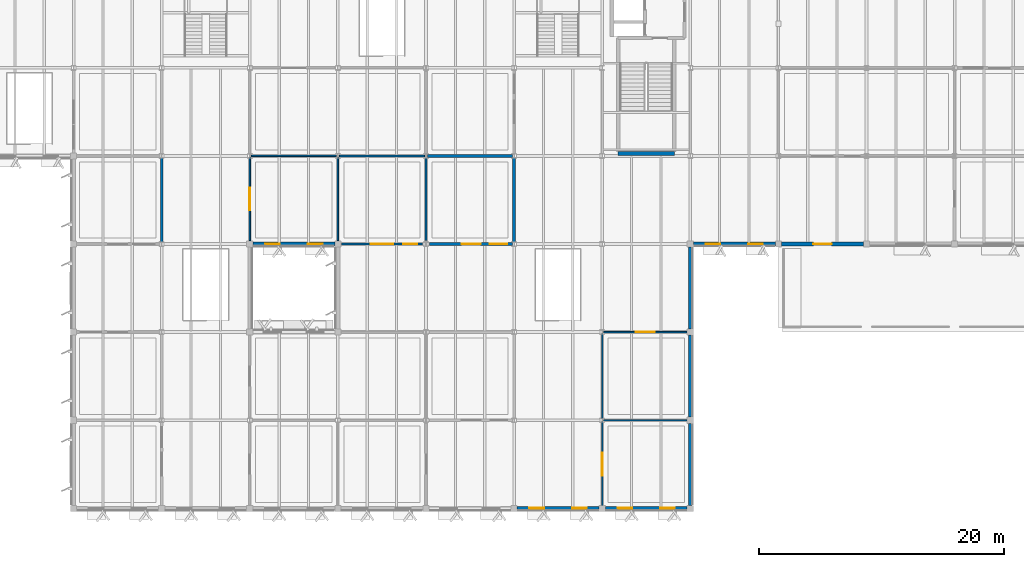
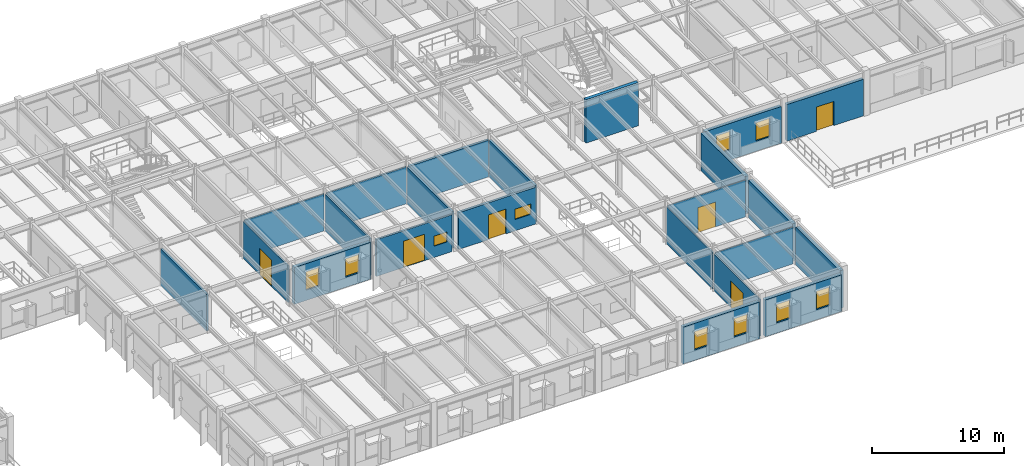
# One storey, part 36 of 85: 23 walls, 10 windows, 6 doors, 16 openings.
"""IFC4 building model written with IfcOpenShell, lengths in metres."""

from ifc_helpers import new_model, si_unit, direction, frame, frame_2d, origin, place, context, subcontext, project, spatial, rectangle, extrude, material, layer, layer_set, type_object, element, fill, save


model = new_model("IFC4")

# Units and contexts
model_context = context("Model", 3, precision=1e-05, world=origin(), true_north=direction((0.0, 1.0)))
body_context = subcontext(model_context, "Body", "Model", "MODEL_VIEW")
ifc_project = project(units=[si_unit("LENGTHUNIT", "METRE"), si_unit("AREAUNIT", "SQUARE_METRE"), si_unit("VOLUMEUNIT", "CUBIC_METRE"), si_unit("PLANEANGLEUNIT", "RADIAN"), si_unit("MASSUNIT", "GRAM", prefix="KILO")], contexts=[model_context])

# Site, building, storey
site_placement = place(None, origin())
site = spatial("IfcSite", under=ifc_project, at=site_placement, CompositionType="ELEMENT")
building_placement = place(site_placement, origin())
building = spatial("IfcBuilding", under=site, at=building_placement, Name="Sillqori Civic Hall", CompositionType="ELEMENT")
storey_placement = place(building_placement, frame((0.0, 0.0, 9.89990234375)))
storey = spatial("IfcBuildingStorey", under=building, at=storey_placement, Name="L03", CompositionType="ELEMENT", Elevation=9.89990234375)

# Wall
ifc_material_1 = material(Name="Concrete C35/45 (H35)", Category="concrete")
ifc_layer_1 = layer(ifc_material_1, 0.300048828125)
ifc_layer_set_1 = layer_set([ifc_layer_1], Name="Concrete C35/45 (H35)")
wall_type_1 = type_object("IfcWallType", Name="CW-SHR-300", PredefinedType="SHEAR", material=ifc_layer_set_1)
wall_1_placement = place(storey_placement, frame((109.31005859375, 36.199951171875, 0.0), z_axis=(0.0, 0.0, 1.0), x_axis=(1.0, 0.0, 0.0)))
element("IfcWall", 1, at=wall_1_placement, inside=storey, type_object=wall_type_1, Name="L03 C3 Stair south shear wall", PredefinedType="SHEAR", context=body_context, shape_type="SweptSolid", body=[
    extrude(rectangle(XDim=4.579833984375, YDim=0.300048828125, at=frame_2d((2.2900390625, 0.0))), origin(), (0.0, 0.0, 1.0), 4.02001953125),
])

# Wall, openings, windows
ifc_material_2 = material(Name="Precast concrete C40/50 (H40)", Category="concrete")
ifc_layer_2 = layer(ifc_material_2, 0.300048828125)
ifc_layer_set_2 = layer_set([ifc_layer_2], Name="Precast concrete C40/50 (H40)")
wall_type_2 = type_object("IfcWallType", Name="EW-LIME-300", PredefinedType="SOLIDWALL", material=ifc_layer_set_2)
wall_2_placement = place(storey_placement, frame((122.14990234375, 28.800048828125, 0.0), z_axis=(0.0, 0.0, 1.0), x_axis=(-1.0, 0.0, 0.0)))
wall_2 = element("IfcWall", 2, at=wall_2_placement, inside=storey, type_object=wall_type_2, Name="L03 V3 exterior wall L03-16-04-S", PredefinedType="SOLIDWALL", context=body_context, shape_type="SweptSolid", body=[
    extrude(rectangle(XDim=6.699951171875, YDim=0.300048828125, at=frame_2d((3.35009765625, 0.0))), origin(), (0.0, 0.0, 1.0), 3.398193359375),
])
opening_1_placement = place(wall_2_placement, frame((1.008056640625, 0.0, 0.949951171875)))
opening_1 = element("IfcOpeningElement", 3, at=opening_1_placement, cuts=wall_2, Name="Opening W-22", PredefinedType="OPENING", context=body_context, shape_type="SweptSolid", body=[
    extrude(rectangle(XDim=1.199951171875, YDim=1.699951171875, at=frame_2d((0.60009765625, 0.85009765625))), frame((0.0, 0.159912109375, 0.0), z_axis=(0.0, -1.0, 0.0), x_axis=(1.0, 0.0, 0.0)), (0.0, 0.0, 1.0), 0.320068359375),
])
opening_2_placement = place(wall_2_placement, frame((4.491943359375, 0.0, 0.949951171875)))
opening_2 = element("IfcOpeningElement", 4, at=opening_2_placement, cuts=wall_2, Name="Opening W-22", PredefinedType="OPENING", context=body_context, shape_type="SweptSolid", body=[
    extrude(rectangle(XDim=1.199951171875, YDim=1.699951171875, at=frame_2d((0.60009765625, 0.85009765625))), frame((0.0, 0.159912109375, 0.0), z_axis=(0.0, -1.0, 0.0), x_axis=(1.0, 0.0, 0.0)), (0.0, 0.0, 1.0), 0.320068359375),
])
ifc_material_3 = material(Name="Thermally Broken Aluminium Low-E Window", Category="aluminium")
window_type_1 = type_object("IfcWindowType", Name="WIN-V5-120X170", PartitioningType="SINGLE_PANEL", PredefinedType="WINDOW", material=ifc_material_3)
window_1_placement = place(opening_1_placement, origin())
window_1 = element("IfcWindow", 5, at=window_1_placement, inside=storey, type_object=window_type_1, Name="L03 V3 window L03-16-04-S.1", OverallHeight=1.699951171875, OverallWidth=1.199951171875, PartitioningType="SINGLE_PANEL", PredefinedType="WINDOW", context=body_context, shape_type="SweptSolid", body=[
    extrude(rectangle(XDim=1.199951171875, YDim=1.699951171875, at=frame_2d((0.60009765625, 0.85009765625))), frame((0.0, 0.030029296875, 0.0), z_axis=(0.0, -1.0, 0.0), x_axis=(1.0, 0.0, 0.0)), (0.0, 0.0, 1.0), 0.06005859375),
])
fill(opening_1, window_1)
window_2_placement = place(opening_2_placement, origin())
window_2 = element("IfcWindow", 6, at=window_2_placement, inside=storey, type_object=window_type_1, Name="L03 V3 window L03-16-04-S.2", OverallHeight=1.699951171875, OverallWidth=1.199951171875, PartitioningType="SINGLE_PANEL", PredefinedType="WINDOW", context=body_context, shape_type="SweptSolid", body=[
    extrude(rectangle(XDim=1.199951171875, YDim=1.699951171875, at=frame_2d((0.60009765625, 0.85009765625))), frame((0.0, 0.030029296875, 0.0), z_axis=(0.0, -1.0, 0.0), x_axis=(1.0, 0.0, 0.0)), (0.0, 0.0, 1.0), 0.06005859375),
])
fill(opening_2, window_2)

# Wall, opening, door
wall_3_placement = place(storey_placement, frame((129.35009765625, 28.800048828125, 0.0), z_axis=(0.0, 0.0, 1.0), x_axis=(-1.0, 0.0, 0.0)))
wall_3 = element("IfcWall", 7, at=wall_3_placement, inside=storey, type_object=wall_type_2, Name="L03 V3 exterior wall L03-17-04-S", PredefinedType="SOLIDWALL", context=body_context, shape_type="SweptSolid", body=[
    extrude(rectangle(XDim=6.7001953125, YDim=0.300048828125, at=frame_2d((3.35009765625, 0.0))), origin(), (0.0, 0.0, 1.0), 3.38818359375),
])
opening_3_placement = place(wall_3_placement, frame((2.60009765625, 0.0, 0.0)))
opening_3 = element("IfcOpeningElement", 8, at=opening_3_placement, cuts=wall_3, Name="Opening ED-06", PredefinedType="OPENING", context=body_context, shape_type="SweptSolid", body=[
    extrude(rectangle(XDim=1.5, YDim=2.25, at=frame_2d((0.75, 1.125))), frame((0.0, 0.159912109375, 0.0), z_axis=(0.0, -1.0, 0.0), x_axis=(1.0, 0.0, 0.0)), (0.0, 0.0, 1.0), 0.320068359375),
])
ifc_material_4 = material(Name="Thermally Broken Anodized Aluminium and Laminated Glass", Category="aluminium")
door_type_1 = type_object("IfcDoorType", Name="EDR-TERR-150X225", OperationType="NOTDEFINED", PredefinedType="DOOR", material=ifc_material_4)
door_1_placement = place(opening_3_placement, origin())
door_1 = element("IfcDoor", 9, at=door_1_placement, inside=storey, type_object=door_type_1, Name="Library Courtyard Step Terrace Access Door", OperationType="DOUBLE_DOOR_SINGLE_SWING", OverallHeight=2.25, OverallWidth=1.5, PredefinedType="DOOR", context=body_context, shape_type="SweptSolid", body=[
    extrude(rectangle(XDim=1.5, YDim=2.25, at=frame_2d((0.75, 1.125))), frame((0.0, 0.02490234375, 0.0), z_axis=(0.0, -1.0, 0.0), x_axis=(1.0, 0.0, 0.0)), (0.0, 0.0, 1.0), 0.050048828125),
])
fill(opening_3, door_1)

# Wall, openings, windows
ifc_layer_3 = layer(ifc_material_2, 0.320068359375)
ifc_layer_set_3 = layer_set([ifc_layer_3], Name="Precast concrete C40/50 (H40)")
wall_type_3 = type_object("IfcWallType", Name="EW-LIME-320", PredefinedType="SOLIDWALL", material=ifc_layer_set_3)
wall_4_placement = place(storey_placement, frame((86.14990234375, 28.800048828125, 0.0), z_axis=(0.0, 0.0, 1.0), x_axis=(-1.0, 0.0, 0.0)))
wall_4 = element("IfcWall", 10, at=wall_4_placement, inside=storey, type_object=wall_type_3, Name="L03 V2 exterior wall L03-11-04-S", PredefinedType="SOLIDWALL", context=body_context, shape_type="SweptSolid", body=[
    extrude(rectangle(XDim=6.699951171875, YDim=0.320068359375, at=frame_2d((3.35009765625, 0.0))), origin(), (0.0, 0.0, 1.0), 3.418212890625),
])
opening_4_placement = place(wall_4_placement, frame((1.008056640625, 0.0, 0.949951171875)))
opening_4 = element("IfcOpeningElement", 11, at=opening_4_placement, cuts=wall_4, Name="Opening W-22", PredefinedType="OPENING", context=body_context, shape_type="SweptSolid", body=[
    extrude(rectangle(XDim=1.199951171875, YDim=1.699951171875, at=frame_2d((0.60009765625, 0.85009765625))), frame((0.0, 0.169921875, 0.0), z_axis=(0.0, -1.0, 0.0), x_axis=(1.0, 0.0, 0.0)), (0.0, 0.0, 1.0), 0.340087890625),
])
opening_5_placement = place(wall_4_placement, frame((4.491943359375, 0.0, 0.949951171875)))
opening_5 = element("IfcOpeningElement", 12, at=opening_5_placement, cuts=wall_4, Name="Opening W-22", PredefinedType="OPENING", context=body_context, shape_type="SweptSolid", body=[
    extrude(rectangle(XDim=1.199951171875, YDim=1.699951171875, at=frame_2d((0.60009765625, 0.85009765625))), frame((0.0, 0.169921875, 0.0), z_axis=(0.0, -1.0, 0.0), x_axis=(1.0, 0.0, 0.0)), (0.0, 0.0, 1.0), 0.340087890625),
])
window_3_placement = place(opening_4_placement, origin())
window_3 = element("IfcWindow", 13, at=window_3_placement, inside=storey, type_object=window_type_1, Name="L03 V2 window L03-11-04-S.1", OverallHeight=1.699951171875, OverallWidth=1.199951171875, PartitioningType="SINGLE_PANEL", PredefinedType="WINDOW", context=body_context, shape_type="SweptSolid", body=[
    extrude(rectangle(XDim=1.199951171875, YDim=1.699951171875, at=frame_2d((0.60009765625, 0.85009765625))), frame((0.0, 0.030029296875, 0.0), z_axis=(0.0, -1.0, 0.0), x_axis=(1.0, 0.0, 0.0)), (0.0, 0.0, 1.0), 0.06005859375),
])
fill(opening_4, window_3)
window_4_placement = place(opening_5_placement, origin())
window_4 = element("IfcWindow", 14, at=window_4_placement, inside=storey, type_object=window_type_1, Name="L03 V2 window L03-11-04-S.2", OverallHeight=1.699951171875, OverallWidth=1.199951171875, PartitioningType="SINGLE_PANEL", PredefinedType="WINDOW", context=body_context, shape_type="SweptSolid", body=[
    extrude(rectangle(XDim=1.199951171875, YDim=1.699951171875, at=frame_2d((0.60009765625, 0.85009765625))), frame((0.0, 0.030029296875, 0.0), z_axis=(0.0, -1.0, 0.0), x_axis=(1.0, 0.0, 0.0)), (0.0, 0.0, 1.0), 0.06005859375),
])
fill(opening_5, window_4)

wall_5_placement = place(storey_placement, frame((107.75, 7.199951171875, 0.0), z_axis=(0.0, 0.0, 1.0), x_axis=(-1.0, 0.0, 0.0)))
wall_5 = element("IfcWall", 15, at=wall_5_placement, inside=storey, type_object=wall_type_3, Name="L03 V2 exterior wall L03-14-01-S", PredefinedType="SOLIDWALL", context=body_context, shape_type="SweptSolid", body=[
    extrude(rectangle(XDim=6.699951171875, YDim=0.320068359375, at=frame_2d((3.35009765625, 0.0))), origin(), (0.0, 0.0, 1.0), 3.418212890625),
])
opening_6_placement = place(wall_5_placement, frame((1.008056640625, 0.0, 0.949951171875)))
opening_6 = element("IfcOpeningElement", 16, at=opening_6_placement, cuts=wall_5, Name="Opening W-22", PredefinedType="OPENING", context=body_context, shape_type="SweptSolid", body=[
    extrude(rectangle(XDim=1.199951171875, YDim=1.699951171875, at=frame_2d((0.60009765625, 0.85009765625))), frame((0.0, 0.169921875, 0.0), z_axis=(0.0, -1.0, 0.0), x_axis=(1.0, 0.0, 0.0)), (0.0, 0.0, 1.0), 0.340087890625),
])
opening_7_placement = place(wall_5_placement, frame((4.491943359375, 0.0, 0.949951171875)))
opening_7 = element("IfcOpeningElement", 17, at=opening_7_placement, cuts=wall_5, Name="Opening W-22", PredefinedType="OPENING", context=body_context, shape_type="SweptSolid", body=[
    extrude(rectangle(XDim=1.199951171875, YDim=1.699951171875, at=frame_2d((0.60009765625, 0.85009765625))), frame((0.0, 0.169921875, 0.0), z_axis=(0.0, -1.0, 0.0), x_axis=(1.0, 0.0, 0.0)), (0.0, 0.0, 1.0), 0.340087890625),
])
window_5_placement = place(opening_6_placement, origin())
window_5 = element("IfcWindow", 18, at=window_5_placement, inside=storey, type_object=window_type_1, Name="L03 V2 window L03-14-01-S.1", OverallHeight=1.699951171875, OverallWidth=1.199951171875, PartitioningType="SINGLE_PANEL", PredefinedType="WINDOW", context=body_context, shape_type="SweptSolid", body=[
    extrude(rectangle(XDim=1.199951171875, YDim=1.699951171875, at=frame_2d((0.60009765625, 0.85009765625))), frame((0.0, 0.030029296875, 0.0), z_axis=(0.0, -1.0, 0.0), x_axis=(1.0, 0.0, 0.0)), (0.0, 0.0, 1.0), 0.06005859375),
])
fill(opening_6, window_5)
window_6_placement = place(opening_7_placement, origin())
window_6 = element("IfcWindow", 19, at=window_6_placement, inside=storey, type_object=window_type_1, Name="L03 V2 window L03-14-01-S.2", OverallHeight=1.699951171875, OverallWidth=1.199951171875, PartitioningType="SINGLE_PANEL", PredefinedType="WINDOW", context=body_context, shape_type="SweptSolid", body=[
    extrude(rectangle(XDim=1.199951171875, YDim=1.699951171875, at=frame_2d((0.60009765625, 0.85009765625))), frame((0.0, 0.030029296875, 0.0), z_axis=(0.0, -1.0, 0.0), x_axis=(1.0, 0.0, 0.0)), (0.0, 0.0, 1.0), 0.06005859375),
])
fill(opening_7, window_6)

wall_6_placement = place(storey_placement, frame((114.949951171875, 7.199951171875, 0.0), z_axis=(0.0, 0.0, 1.0), x_axis=(-1.0, 0.0, 0.0)))
wall_6 = element("IfcWall", 20, at=wall_6_placement, inside=storey, type_object=wall_type_3, Name="L03 V2 exterior wall L03-15-01-S", PredefinedType="SOLIDWALL", context=body_context, shape_type="SweptSolid", body=[
    extrude(rectangle(XDim=6.699951171875, YDim=0.320068359375, at=frame_2d((3.35009765625, 0.0))), origin(), (0.0, 0.0, 1.0), 3.418212890625),
])
opening_8_placement = place(wall_6_placement, frame((1.008056640625, 0.0, 0.949951171875)))
opening_8 = element("IfcOpeningElement", 21, at=opening_8_placement, cuts=wall_6, Name="Opening W-22", PredefinedType="OPENING", context=body_context, shape_type="SweptSolid", body=[
    extrude(rectangle(XDim=1.199951171875, YDim=1.699951171875, at=frame_2d((0.60009765625, 0.85009765625))), frame((0.0, 0.169921875, 0.0), z_axis=(0.0, -1.0, 0.0), x_axis=(1.0, 0.0, 0.0)), (0.0, 0.0, 1.0), 0.340087890625),
])
opening_9_placement = place(wall_6_placement, frame((4.491943359375, 0.0, 0.949951171875)))
opening_9 = element("IfcOpeningElement", 22, at=opening_9_placement, cuts=wall_6, Name="Opening W-22", PredefinedType="OPENING", context=body_context, shape_type="SweptSolid", body=[
    extrude(rectangle(XDim=1.199951171875, YDim=1.699951171875, at=frame_2d((0.60009765625, 0.85009765625))), frame((0.0, 0.169921875, 0.0), z_axis=(0.0, -1.0, 0.0), x_axis=(1.0, 0.0, 0.0)), (0.0, 0.0, 1.0), 0.340087890625),
])
window_7_placement = place(opening_8_placement, origin())
window_7 = element("IfcWindow", 23, at=window_7_placement, inside=storey, type_object=window_type_1, Name="L03 V2 window L03-15-01-S.1", OverallHeight=1.699951171875, OverallWidth=1.199951171875, PartitioningType="SINGLE_PANEL", PredefinedType="WINDOW", context=body_context, shape_type="SweptSolid", body=[
    extrude(rectangle(XDim=1.199951171875, YDim=1.699951171875, at=frame_2d((0.60009765625, 0.85009765625))), frame((0.0, 0.030029296875, 0.0), z_axis=(0.0, -1.0, 0.0), x_axis=(1.0, 0.0, 0.0)), (0.0, 0.0, 1.0), 0.06005859375),
])
fill(opening_8, window_7)
window_8_placement = place(opening_9_placement, origin())
window_8 = element("IfcWindow", 24, at=window_8_placement, inside=storey, type_object=window_type_1, Name="L03 V2 window L03-15-01-S.2", OverallHeight=1.699951171875, OverallWidth=1.199951171875, PartitioningType="SINGLE_PANEL", PredefinedType="WINDOW", context=body_context, shape_type="SweptSolid", body=[
    extrude(rectangle(XDim=1.199951171875, YDim=1.699951171875, at=frame_2d((0.60009765625, 0.85009765625))), frame((0.0, 0.030029296875, 0.0), z_axis=(0.0, -1.0, 0.0), x_axis=(1.0, 0.0, 0.0)), (0.0, 0.0, 1.0), 0.06005859375),
])
fill(opening_9, window_8)

# Walls
wall_7_placement = place(storey_placement, frame((115.199951171875, 14.14990234375, 0.0), z_axis=(0.0, 0.0, 1.0), x_axis=(0.0, -1.0, 0.0)))
element("IfcWall", 25, at=wall_7_placement, inside=storey, type_object=wall_type_3, Name="L03 V2 exterior wall L03-15-01-E", PredefinedType="SOLIDWALL", context=body_context, shape_type="SweptSolid", body=[
    extrude(rectangle(XDim=6.699951171875, YDim=0.320068359375, at=frame_2d((3.35009765625, 0.0))), origin(), (0.0, 0.0, 1.0), 3.487060546875),
])
wall_8_placement = place(storey_placement, frame((115.199951171875, 21.35009765625, 0.0), z_axis=(0.0, 0.0, 1.0), x_axis=(0.0, -1.0, 0.0)))
element("IfcWall", 26, at=wall_8_placement, inside=storey, type_object=wall_type_3, Name="L03 V2 exterior wall L03-15-02-E", PredefinedType="SOLIDWALL", context=body_context, shape_type="SweptSolid", body=[
    extrude(rectangle(XDim=6.7001953125, YDim=0.320068359375, at=frame_2d((3.35009765625, 0.0))), origin(), (0.0, 0.0, 1.0), 3.487060546875),
])
wall_9_placement = place(storey_placement, frame((115.199951171875, 28.550048828125, 0.0), z_axis=(0.0, 0.0, 1.0), x_axis=(0.0, -1.0, 0.0)))
element("IfcWall", 27, at=wall_9_placement, inside=storey, type_object=wall_type_3, Name="L03 V2 exterior wall L03-15-03-E", PredefinedType="SOLIDWALL", context=body_context, shape_type="SweptSolid", body=[
    extrude(rectangle(XDim=6.699951171875, YDim=0.320068359375, at=frame_2d((3.35009765625, 0.0))), origin(), (0.0, 0.0, 1.0), 3.487060546875),
])

# Wall, opening, door
ifc_material_5 = material(Name="Acoustic Steel-Stud Partition 104", Category="steel")
ifc_layer_4 = layer(ifc_material_5, 0.10400390625)
ifc_layer_set_4 = layer_set([ifc_layer_4], Name="Acoustic Steel-Stud Partition 104")
wall_type_4 = type_object("IfcWallType", Name="PT-GYP-104", PredefinedType="PARTITIONING", material=ifc_layer_set_4)
wall_10_placement = place(storey_placement, frame((108.0, 7.320068359375, 0.0), z_axis=(0.0, 0.0, 1.0), x_axis=(0.0, 1.0, 0.0)))
wall_10 = element("IfcWall", 28, at=wall_10_placement, inside=storey, type_object=wall_type_4, Name="Civic Heritage Exhibition Gallery L03-17 partition W1", PredefinedType="PARTITIONING", context=body_context, shape_type="SweptSolid", body=[
    extrude(rectangle(XDim=6.9599609375, YDim=0.10400390625, at=frame_2d((3.47998046875, 0.0))), origin(), (0.0, 0.0, 1.0), 3.408203125),
])
opening_10_placement = place(wall_10_placement, frame((2.530029296875, 0.0, 0.0)))
opening_10 = element("IfcOpeningElement", 29, at=opening_10_placement, cuts=wall_10, Name="Opening ID-11", PredefinedType="OPENING", context=body_context, shape_type="SweptSolid", body=[
    extrude(rectangle(XDim=1.89990234375, YDim=2.449951171875, at=frame_2d((0.949951171875, 1.22509765625))), frame((0.0, 0.06201171875, 0.0), z_axis=(0.0, -1.0, 0.0), x_axis=(1.0, 0.0, 0.0)), (0.0, 0.0, 1.0), 0.1240234375),
])
ifc_material_6 = material(Name="Exhibition Gallery Portal Door", Category="aluminium")
door_type_2 = type_object("IfcDoorType", Name="IDR-EXH-190X245", OperationType="NOTDEFINED", PredefinedType="DOOR", material=ifc_material_6)
door_2_placement = place(opening_10_placement, origin())
door_2 = element("IfcDoor", 30, at=door_2_placement, inside=storey, type_object=door_type_2, Name="Civic Heritage Exhibition Gallery L03-17 entrance door", OperationType="DOUBLE_DOOR_SINGLE_SWING", OverallHeight=2.449951171875, OverallWidth=1.89990234375, PredefinedType="DOOR", context=body_context, shape_type="SweptSolid", body=[
    extrude(rectangle(XDim=1.89990234375, YDim=2.449951171875, at=frame_2d((0.949951171875, 1.22509765625))), frame((0.0, 0.02490234375, 0.0), z_axis=(0.0, -1.0, 0.0), x_axis=(1.0, 0.0, 0.0)), (0.0, 0.0, 1.0), 0.050048828125),
])
fill(opening_10, door_2)

# Wall
wall_11_placement = place(storey_placement, frame((108.1201171875, 14.39990234375, 0.0), z_axis=(0.0, 0.0, 1.0), x_axis=(1.0, 0.0, 0.0)))
element("IfcWall", 31, at=wall_11_placement, inside=storey, type_object=wall_type_4, Name="Civic Heritage Exhibition Gallery L03-17 partition N2", PredefinedType="PARTITIONING", context=body_context, shape_type="SweptSolid", body=[
    extrude(rectangle(XDim=6.7998046875, YDim=0.10400390625, at=frame_2d((3.39990234375, 0.0))), origin(), (0.0, 0.0, 1.0), 3.408203125),
])

# Wall, opening, door
ifc_material_7 = material(Name="Acoustic Steel-Stud Partition 108", Category="steel")
ifc_layer_5 = layer(ifc_material_7, 0.10791015625)
ifc_layer_set_5 = layer_set([ifc_layer_5], Name="Acoustic Steel-Stud Partition 108")
wall_type_5 = type_object("IfcWallType", Name="PT-GYP-108", PredefinedType="PARTITIONING", material=ifc_layer_set_5)
wall_12_placement = place(storey_placement, frame((108.1201171875, 21.60009765625, 0.0), z_axis=(0.0, 0.0, 1.0), x_axis=(1.0, 0.0, 0.0)))
wall_12 = element("IfcWall", 32, at=wall_12_placement, inside=storey, type_object=wall_type_5, Name="Citizen Participatory Budgeting Forum Hall L03-18 partition N1", PredefinedType="PARTITIONING", context=body_context, shape_type="SweptSolid", body=[
    extrude(rectangle(XDim=6.7998046875, YDim=0.10791015625, at=frame_2d((3.39990234375, 0.0))), origin(), (0.0, 0.0, 1.0), 3.408203125),
])
opening_11_placement = place(wall_12_placement, frame((2.625, 0.0, 0.0)))
opening_11 = element("IfcOpeningElement", 33, at=opening_11_placement, cuts=wall_12, Name="Opening ID-08", PredefinedType="OPENING", context=body_context, shape_type="SweptSolid", body=[
    extrude(rectangle(XDim=1.550048828125, YDim=2.300048828125, at=frame_2d((0.77490234375, 1.14990234375))), frame((0.0, 0.06396484375, 0.0), z_axis=(0.0, -1.0, 0.0), x_axis=(1.0, 0.0, 0.0)), (0.0, 0.0, 1.0), 0.1279296875),
])
ifc_material_8 = material(Name="Community Room Double Leaf Door", Category="timber")
door_type_3 = type_object("IfcDoorType", Name="IDR-CMY-155X230", OperationType="NOTDEFINED", PredefinedType="DOOR", material=ifc_material_8)
door_3_placement = place(opening_11_placement, origin())
door_3 = element("IfcDoor", 34, at=door_3_placement, inside=storey, type_object=door_type_3, Name="Citizen Participatory Budgeting Forum Hall L03-18 entrance door", OperationType="DOUBLE_DOOR_SINGLE_SWING", OverallHeight=2.300048828125, OverallWidth=1.550048828125, PredefinedType="DOOR", context=body_context, shape_type="SweptSolid", body=[
    extrude(rectangle(XDim=1.550048828125, YDim=2.300048828125, at=frame_2d((0.77490234375, 1.14990234375))), frame((0.0, 0.02490234375, 0.0), z_axis=(0.0, -1.0, 0.0), x_axis=(1.0, 0.0, 0.0)), (0.0, 0.0, 1.0), 0.050048828125),
])
fill(opening_11, door_3)

# Wall
wall_13_placement = place(storey_placement, frame((108.0, 14.52001953125, 0.0), z_axis=(0.0, 0.0, 1.0), x_axis=(0.0, 1.0, 0.0)))
element("IfcWall", 35, at=wall_13_placement, inside=storey, type_object=wall_type_5, Name="Citizen Participatory Budgeting Forum Hall L03-18 partition W3", PredefinedType="PARTITIONING", context=body_context, shape_type="SweptSolid", body=[
    extrude(rectangle(XDim=6.9599609375, YDim=0.10791015625, at=frame_2d((3.47998046875, 0.0))), origin(), (0.0, 0.0, 1.0), 3.408203125),
])

# Wall, opening, door
ifc_material_9 = material(Name="Double-Board Acoustic Partition 125", Category="gypsum")
ifc_layer_6 = layer(ifc_material_9, 0.125)
ifc_layer_set_6 = layer_set([ifc_layer_6], Name="Double-Board Acoustic Partition 125")
wall_type_6 = type_object("IfcWallType", Name="PT-GYP-125", PredefinedType="PARTITIONING", material=ifc_layer_set_6)
wall_14_placement = place(storey_placement, frame((79.199951171875, 29.080078125, 0.0), z_axis=(0.0, 0.0, 1.0), x_axis=(0.0, 1.0, 0.0)))
wall_14 = element("IfcWall", 36, at=wall_14_placement, inside=storey, type_object=wall_type_6, Name="Public Digital Services Lab L03-08 partition W1", PredefinedType="PARTITIONING", context=body_context, shape_type="SweptSolid", body=[
    extrude(rectangle(XDim=6.7998046875, YDim=0.125, at=frame_2d((3.39990234375, 0.0))), origin(), (0.0, 0.0, 1.0), 3.408203125),
])
opening_12_placement = place(wall_14_placement, frame((2.47509765625, 0.0, 0.0)))
opening_12 = element("IfcOpeningElement", 37, at=opening_12_placement, cuts=wall_14, Name="Opening ID-05", PredefinedType="OPENING", context=body_context, shape_type="SweptSolid", body=[
    extrude(rectangle(XDim=1.85009765625, YDim=2.449951171875, at=frame_2d((0.925048828125, 1.22509765625))), frame((0.0, 0.072509765625, 0.0), z_axis=(0.0, -1.0, 0.0), x_axis=(1.0, 0.0, 0.0)), (0.0, 0.0, 1.0), 0.14501953125),
])
ifc_material_10 = material(Name="Citizens Counter Glazed Double Door", Category="aluminium")
door_type_4 = type_object("IfcDoorType", Name="IDR-CSC-185X245", OperationType="NOTDEFINED", PredefinedType="DOOR", material=ifc_material_10)
door_4_placement = place(opening_12_placement, origin())
door_4 = element("IfcDoor", 38, at=door_4_placement, inside=storey, type_object=door_type_4, Name="Public Digital Services Lab L03-08 entrance door", OperationType="DOUBLE_DOOR_SINGLE_SWING", OverallHeight=2.449951171875, OverallWidth=1.85009765625, PredefinedType="DOOR", context=body_context, shape_type="SweptSolid", body=[
    extrude(rectangle(XDim=1.85009765625, YDim=2.449951171875, at=frame_2d((0.925048828125, 1.22509765625))), frame((0.0, 0.02490234375, 0.0), z_axis=(0.0, -1.0, 0.0), x_axis=(1.0, 0.0, 0.0)), (0.0, 0.0, 1.0), 0.050048828125),
])
fill(opening_12, door_4)

# Walls
wall_15_placement = place(storey_placement, frame((79.320068359375, 36.0, 0.0), z_axis=(0.0, 0.0, 1.0), x_axis=(1.0, 0.0, 0.0)))
element("IfcWall", 39, at=wall_15_placement, inside=storey, type_object=wall_type_6, Name="Public Digital Services Lab L03-08 partition N2", PredefinedType="PARTITIONING", context=body_context, shape_type="SweptSolid", body=[
    extrude(rectangle(XDim=6.9599609375, YDim=0.125, at=frame_2d((3.47998046875, 0.0))), origin(), (0.0, 0.0, 1.0), 3.408203125),
])
wall_16_placement = place(storey_placement, frame((86.39990234375, 35.8798828125, 0.0), z_axis=(0.0, 0.0, 1.0), x_axis=(0.0, -1.0, 0.0)))
element("IfcWall", 40, at=wall_16_placement, inside=storey, type_object=wall_type_6, Name="Public Digital Services Lab L03-08 partition E3", PredefinedType="PARTITIONING", context=body_context, shape_type="SweptSolid", body=[
    extrude(rectangle(XDim=6.7998046875, YDim=0.125, at=frame_2d((3.39990234375, 0.0))), origin(), (0.0, 0.0, 1.0), 3.408203125),
])
ifc_material_11 = material(Name="Double-Board Acoustic Partition 138", Category="gypsum")
ifc_layer_7 = layer(ifc_material_11, 0.137939453125)
ifc_layer_set_7 = layer_set([ifc_layer_7], Name="Double-Board Acoustic Partition 138")
wall_type_7 = type_object("IfcWallType", Name="PT-GYP-138", PredefinedType="PARTITIONING", material=ifc_layer_set_7)
wall_17_placement = place(storey_placement, frame((93.47998046875, 36.0, 0.0), z_axis=(0.0, 0.0, 1.0), x_axis=(-1.0, 0.0, 0.0)))
element("IfcWall", 41, at=wall_17_placement, inside=storey, type_object=wall_type_7, Name="Civic Heritage Exhibition Gallery L03-09 partition S4", PredefinedType="PARTITIONING", context=body_context, shape_type="SweptSolid", body=[
    extrude(rectangle(XDim=6.9599609375, YDim=0.137939453125, at=frame_2d((3.47998046875, 0.0))), origin(), (0.0, 0.0, 1.0), 3.408203125),
])

# Wall, openings, door, window
ifc_material_12 = material(Name="Concrete C25/30 (H25)", Category="concrete")
ifc_layer_8 = layer(ifc_material_12, 0.175048828125)
ifc_layer_set_8 = layer_set([ifc_layer_8], Name="Concrete C25/30 (H25)")
wall_type_8 = type_object("IfcWallType", Name="PT-MAS-175", PredefinedType="PARTITIONING", material=ifc_layer_set_8)
wall_18_placement = place(storey_placement, frame((93.320068359375, 28.800048828125, 0.0), z_axis=(0.0, 0.0, 1.0), x_axis=(-1.0, 0.0, 0.0)))
wall_18 = element("IfcWall", 42, at=wall_18_placement, inside=storey, type_object=wall_type_8, Name="Public Digital Services Lab L03-12 partition S1", PredefinedType="PARTITIONING", context=body_context, shape_type="SweptSolid", body=[
    extrude(rectangle(XDim=6.64013671875, YDim=0.175048828125, at=frame_2d((3.320068359375, 0.0))), origin(), (0.0, 0.0, 1.0), 3.408203125),
])
opening_13_placement = place(wall_18_placement, frame((2.39501953125, 0.0, 0.0)))
opening_13 = element("IfcOpeningElement", 43, at=opening_13_placement, cuts=wall_18, Name="Opening ID-05", PredefinedType="OPENING", context=body_context, shape_type="SweptSolid", body=[
    extrude(rectangle(XDim=1.85009765625, YDim=2.449951171875, at=frame_2d((0.925048828125, 1.22509765625))), frame((0.0, 0.097412109375, 0.0), z_axis=(0.0, -1.0, 0.0), x_axis=(1.0, 0.0, 0.0)), (0.0, 0.0, 1.0), 0.195068359375),
])
opening_14_placement = place(wall_18_placement, frame((0.449951171875, 0.0, 1.050048828125)))
opening_14 = element("IfcOpeningElement", 44, at=opening_14_placement, cuts=wall_18, Name="Opening IW-25", PredefinedType="OPENING", context=body_context, shape_type="SweptSolid", body=[
    extrude(rectangle(XDim=1.1201171875, YDim=0.919921875, at=frame_2d((0.56005859375, 0.4599609375))), frame((0.0, 0.097412109375, 0.0), z_axis=(0.0, -1.0, 0.0), x_axis=(1.0, 0.0, 0.0)), (0.0, 0.0, 1.0), 0.195068359375),
])
door_5_placement = place(opening_13_placement, origin())
door_5 = element("IfcDoor", 45, at=door_5_placement, inside=storey, type_object=door_type_4, Name="Public Digital Services Lab L03-12 entrance door", OperationType="DOUBLE_DOOR_SINGLE_SWING", OverallHeight=2.449951171875, OverallWidth=1.85009765625, PredefinedType="DOOR", context=body_context, shape_type="SweptSolid", body=[
    extrude(rectangle(XDim=1.85009765625, YDim=2.449951171875, at=frame_2d((0.925048828125, 1.22509765625))), frame((0.0, 0.02490234375, 0.0), z_axis=(0.0, -1.0, 0.0), x_axis=(1.0, 0.0, 0.0)), (0.0, 0.0, 1.0), 0.050048828125),
])
fill(opening_13, door_5)
ifc_material_13 = material(Name="Acoustic Laminated Interior Clerestory Glazing", Category="glass")
window_type_2 = type_object("IfcWindowType", Name="IWN-GAL-112X092", PartitioningType="SINGLE_PANEL", PredefinedType="WINDOW", material=ifc_material_13)
window_9_placement = place(opening_14_placement, origin())
window_9 = element("IfcWindow", 46, at=window_9_placement, inside=storey, type_object=window_type_2, Name="Public Digital Services Lab L03-12 borrowed-light screen", OverallHeight=0.919921875, OverallWidth=1.1201171875, PartitioningType="SINGLE_PANEL", PredefinedType="WINDOW", context=body_context, shape_type="SweptSolid", body=[
    extrude(rectangle(XDim=1.1201171875, YDim=0.919921875, at=frame_2d((0.56005859375, 0.4599609375))), frame((0.0, 0.030029296875, 0.0), z_axis=(0.0, -1.0, 0.0), x_axis=(1.0, 0.0, 0.0)), (0.0, 0.0, 1.0), 0.06005859375),
])
fill(opening_14, window_9)

# Walls
wall_19_placement = place(storey_placement, frame((93.60009765625, 35.8798828125, 0.0), z_axis=(0.0, 0.0, 1.0), x_axis=(0.0, -1.0, 0.0)))
element("IfcWall", 47, at=wall_19_placement, inside=storey, type_object=wall_type_8, Name="Public Digital Services Lab L03-12 partition E4", PredefinedType="PARTITIONING", context=body_context, shape_type="SweptSolid", body=[
    extrude(rectangle(XDim=6.7998046875, YDim=0.175048828125, at=frame_2d((3.39990234375, 0.0))), origin(), (0.0, 0.0, 1.0), 3.408203125),
])
ifc_layer_9 = layer(ifc_material_12, 0.18505859375)
ifc_layer_set_9 = layer_set([ifc_layer_9], Name="Concrete C25/30 (H25)")
wall_type_9 = type_object("IfcWallType", Name="PT-MAS-185", PredefinedType="PARTITIONING", material=ifc_layer_set_9)
wall_20_placement = place(storey_placement, frame((72.0, 35.8798828125, 0.0), z_axis=(0.0, 0.0, 1.0), x_axis=(0.0, -1.0, 0.0)))
element("IfcWall", 48, at=wall_20_placement, inside=storey, type_object=wall_type_9, Name="Youth Municipal Council Workshop Studio partition E3", PredefinedType="PARTITIONING", context=body_context, shape_type="SweptSolid", body=[
    extrude(rectangle(XDim=6.9599609375, YDim=0.18505859375, at=frame_2d((3.47998046875, 0.0))), origin(), (0.0, 0.0, 1.0), 3.408203125),
])

# Wall, openings, door, window
ifc_layer_10 = layer(ifc_material_12, 0.219970703125)
ifc_layer_set_10 = layer_set([ifc_layer_10], Name="Concrete C25/30 (H25)")
wall_type_10 = type_object("IfcWallType", Name="PT-MAS-220", PredefinedType="PARTITIONING", material=ifc_layer_set_10)
wall_21_placement = place(storey_placement, frame((100.679931640625, 28.800048828125, 0.0), z_axis=(0.0, 0.0, 1.0), x_axis=(-1.0, 0.0, 0.0)))
wall_21 = element("IfcWall", 49, at=wall_21_placement, inside=storey, type_object=wall_type_10, Name="Youth Municipal Council Workshop Studio L03-15 partition S1", PredefinedType="PARTITIONING", context=body_context, shape_type="SweptSolid", body=[
    extrude(rectangle(XDim=6.800048828125, YDim=0.219970703125, at=frame_2d((3.39990234375, 0.0))), origin(), (0.0, 0.0, 1.0), 3.408203125),
])
opening_15_placement = place(wall_21_placement, frame((2.625, 0.0, 0.0)))
opening_15 = element("IfcOpeningElement", 50, at=opening_15_placement, cuts=wall_21, Name="Opening ID-08", PredefinedType="OPENING", context=body_context, shape_type="SweptSolid", body=[
    extrude(rectangle(XDim=1.550048828125, YDim=2.300048828125, at=frame_2d((0.77490234375, 1.14990234375))), frame((0.0, 0.119873046875, 0.0), z_axis=(0.0, -1.0, 0.0), x_axis=(1.0, 0.0, 0.0)), (0.0, 0.0, 1.0), 0.239990234375),
])
opening_16_placement = place(wall_21_placement, frame((0.449951171875, 0.0, 1.050048828125)))
opening_16 = element("IfcOpeningElement", 51, at=opening_16_placement, cuts=wall_21, Name="Opening IW-28", PredefinedType="OPENING", context=body_context, shape_type="SweptSolid", body=[
    extrude(rectangle(XDim=1.419921875, YDim=0.9599609375, at=frame_2d((0.7099609375, 0.47998046875))), frame((0.0, 0.119873046875, 0.0), z_axis=(0.0, -1.0, 0.0), x_axis=(1.0, 0.0, 0.0)), (0.0, 0.0, 1.0), 0.239990234375),
])
door_6_placement = place(opening_15_placement, origin())
door_6 = element("IfcDoor", 52, at=door_6_placement, inside=storey, type_object=door_type_3, Name="Youth Municipal Council Workshop Studio L03-15 entrance door", OperationType="DOUBLE_DOOR_SINGLE_SWING", OverallHeight=2.300048828125, OverallWidth=1.550048828125, PredefinedType="DOOR", context=body_context, shape_type="SweptSolid", body=[
    extrude(rectangle(XDim=1.550048828125, YDim=2.300048828125, at=frame_2d((0.77490234375, 1.14990234375))), frame((0.0, 0.02490234375, 0.0), z_axis=(0.0, -1.0, 0.0), x_axis=(1.0, 0.0, 0.0)), (0.0, 0.0, 1.0), 0.050048828125),
])
fill(opening_15, door_6)
window_type_3 = type_object("IfcWindowType", Name="IWN-GAL-142X096", PartitioningType="SINGLE_PANEL", PredefinedType="WINDOW", material=ifc_material_13)
window_10_placement = place(opening_16_placement, origin())
window_10 = element("IfcWindow", 53, at=window_10_placement, inside=storey, type_object=window_type_3, Name="Youth Municipal Council Workshop Studio L03-15 borrowed-light screen", OverallHeight=0.9599609375, OverallWidth=1.419921875, PartitioningType="SINGLE_PANEL", PredefinedType="WINDOW", context=body_context, shape_type="SweptSolid", body=[
    extrude(rectangle(XDim=1.419921875, YDim=0.9599609375, at=frame_2d((0.7099609375, 0.47998046875))), frame((0.0, 0.030029296875, 0.0), z_axis=(0.0, -1.0, 0.0), x_axis=(1.0, 0.0, 0.0)), (0.0, 0.0, 1.0), 0.06005859375),
])
fill(opening_16, window_10)

# Walls
for number, where, z_axis, x_axis, name in (
    (54, (93.719970703125, 36.0, 0.0), (0.0, 0.0, 1.0), (1.0, 0.0, 0.0), "Youth Municipal Council Workshop Studio L03-15 partition N2"),
    (55, (100.800048828125, 35.8798828125, 0.0), (0.0, 0.0, 1.0), (0.0, -1.0, 0.0), "Youth Municipal Council Workshop Studio L03-15 partition E4"),
):
    element("IfcWall", number, at=place(storey_placement, frame(where, z_axis=z_axis, x_axis=x_axis)), inside=storey, type_object=wall_type_10, Name=name, PredefinedType="PARTITIONING", context=body_context, shape_type="SweptSolid", body=[
        extrude(rectangle(XDim=6.9599609375, YDim=0.219970703125, at=frame_2d((3.47998046875, 0.0))), origin(), (0.0, 0.0, 1.0), 3.408203125),
    ])

save(model, "model.ifc")
